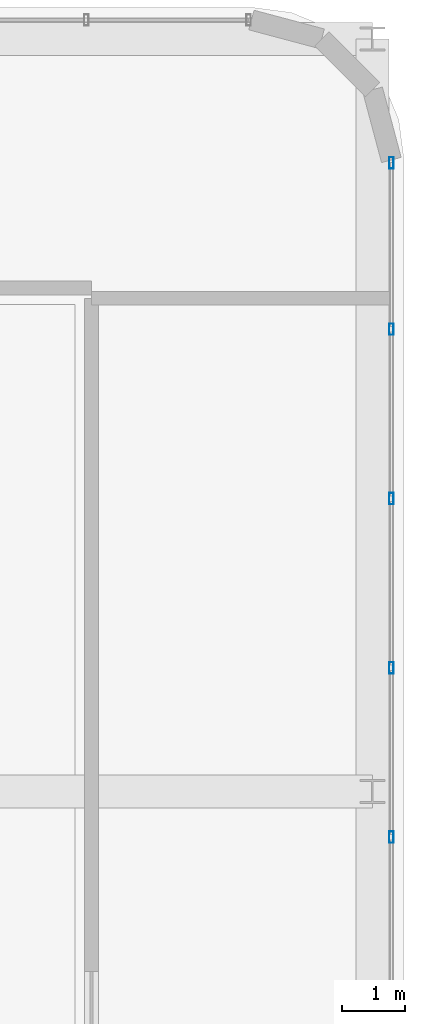
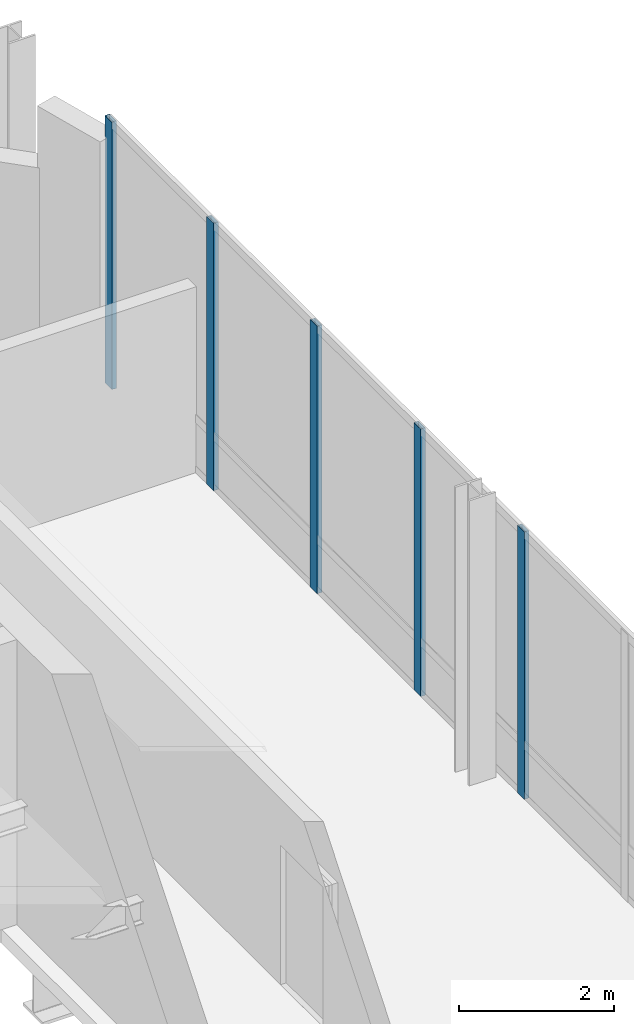
# One storey, part 17 of 25: 5 members, 1 element without a shape of its own.
"""IFC4 building model written with IfcOpenShell, lengths in metres."""

from ifc_helpers import new_model, si_unit, direction, frame, origin, origin_2d, place, context, subcontext, project, spatial, hollow_rectangle, extrude, material, material_profile, profile_set, type_object, element, aggregate, save


model = new_model("IFC4")

# Units and contexts
model_context = context("Model", 3, precision=1e-05, world=origin(), true_north=direction((0.0, 1.0)))
body_context = subcontext(model_context, "Body", "Model", "MODEL_VIEW")
ifc_project = project(units=[si_unit("LENGTHUNIT", "METRE"), si_unit("AREAUNIT", "SQUARE_METRE"), si_unit("VOLUMEUNIT", "CUBIC_METRE"), si_unit("PLANEANGLEUNIT", "RADIAN"), si_unit("MASSUNIT", "GRAM", prefix="KILO")], contexts=[model_context])

# Site, building, storey
site_placement = place(None, origin())
site = spatial("IfcSite", under=ifc_project, at=site_placement, CompositionType="ELEMENT")
building_placement = place(site_placement, origin())
building = spatial("IfcBuilding", under=site, at=building_placement, Name="Punatoya Terracotta Tower", CompositionType="ELEMENT")
storey_placement = place(building_placement, frame((0.0, 0.0, 357.300048828125)))
storey = spatial("IfcBuildingStorey", under=building, at=storey_placement, Name="L84", CompositionType="ELEMENT", Elevation=357.300048828125)

# Curtain wall, members
ifc_material_1 = material(Name="Aluminium 6063-T6 + Double Low-E Glass", Category="aluminium")
curtain_wall_type = type_object("IfcCurtainWallType", Name="CW-CRN", PredefinedType="NOTDEFINED", material=ifc_material_1)
curtain_wall_placement = place(storey_placement, origin())
curtain_wall = element("IfcCurtainWall", 1, at=curtain_wall_placement, inside=storey, type_object=curtain_wall_type, Name="L84 Curtain Wall CW-L84-E05-1", PredefinedType="NOTDEFINED")
ifc_material_2 = material(Name="Aluminium 6063-T6", Category="aluminium")
ifc_material_profile = material_profile(ifc_material_2, hollow_rectangle(XDim=0.070068359375, YDim=0.179931640625, WallThickness=0.00390625, at=origin_2d()))
ifc_profile_set = profile_set([ifc_material_profile], Name="Aluminium 6063-T6")
member_type = type_object("IfcMemberType", Name="CW-MUL-M3", PredefinedType="MULLION", material=ifc_profile_set)
member_1_placement = place(storey_placement, frame((17.10009765625, 2.677490234375, 0.0), z_axis=(0.0, 0.0, 1.0), x_axis=(1.0, 0.0, 0.0)))
member_1 = element("IfcMember", 2, at=member_1_placement, type_object=member_type, Name="CW-L84-E05-1 Mullion 06", PredefinedType="MULLION", context=body_context, shape_type="SweptSolid", body=[
    extrude(hollow_rectangle(XDim=0.070068359375, YDim=0.179931640625, WallThickness=0.00390625, at=origin_2d()), origin(), (0.0, 0.0, 1.0), 4.219970703125),
])
member_2_placement = place(storey_placement, frame((17.10009765625, 5.354736328125, 0.0), z_axis=(0.0, 0.0, 1.0), x_axis=(1.0, 0.0, 0.0)))
member_2 = element("IfcMember", 3, at=member_2_placement, type_object=member_type, Name="CW-L84-E05-1 Mullion 07", PredefinedType="MULLION", context=body_context, shape_type="SweptSolid", body=[
    extrude(hollow_rectangle(XDim=0.070068359375, YDim=0.179931640625, WallThickness=0.00390625, at=origin_2d()), origin(), (0.0, 0.0, 1.0), 4.219970703125),
])
member_3_placement = place(storey_placement, frame((17.10009765625, 8.031982421875, 0.0), z_axis=(0.0, 0.0, 1.0), x_axis=(1.0, 0.0, 0.0)))
member_3 = element("IfcMember", 4, at=member_3_placement, type_object=member_type, Name="CW-L84-E05-1 Mullion 08", PredefinedType="MULLION", context=body_context, shape_type="SweptSolid", body=[
    extrude(hollow_rectangle(XDim=0.070068359375, YDim=0.179931640625, WallThickness=0.00390625, at=origin_2d()), origin(), (0.0, 0.0, 1.0), 4.219970703125),
])
member_4_placement = place(storey_placement, frame((17.10009765625, 10.70947265625, 0.0), z_axis=(0.0, 0.0, 1.0), x_axis=(1.0, 0.0, 0.0)))
member_4 = element("IfcMember", 5, at=member_4_placement, type_object=member_type, Name="CW-L84-E05-1 Mullion 09", PredefinedType="MULLION", context=body_context, shape_type="SweptSolid", body=[
    extrude(hollow_rectangle(XDim=0.070068359375, YDim=0.179931640625, WallThickness=0.00390625, at=origin_2d()), origin(), (0.0, 0.0, 1.0), 4.219970703125),
])
member_5_placement = place(storey_placement, frame((17.10009765625, 13.341796875, 0.0), z_axis=(0.0, 0.0, 1.0), x_axis=(1.0, 0.0, 0.0)))
member_5 = element("IfcMember", 6, at=member_5_placement, type_object=member_type, Name="CW-L84-E05-1 Mullion 10", PredefinedType="MULLION", context=body_context, shape_type="SweptSolid", body=[
    extrude(hollow_rectangle(XDim=0.070068359375, YDim=0.179931640625, WallThickness=0.00390625, at=origin_2d()), origin(), (0.0, 0.0, 1.0), 4.219970703125),
])
aggregate(curtain_wall, [member_1, member_2, member_3, member_4, member_5])

save(model, "model.ifc")
